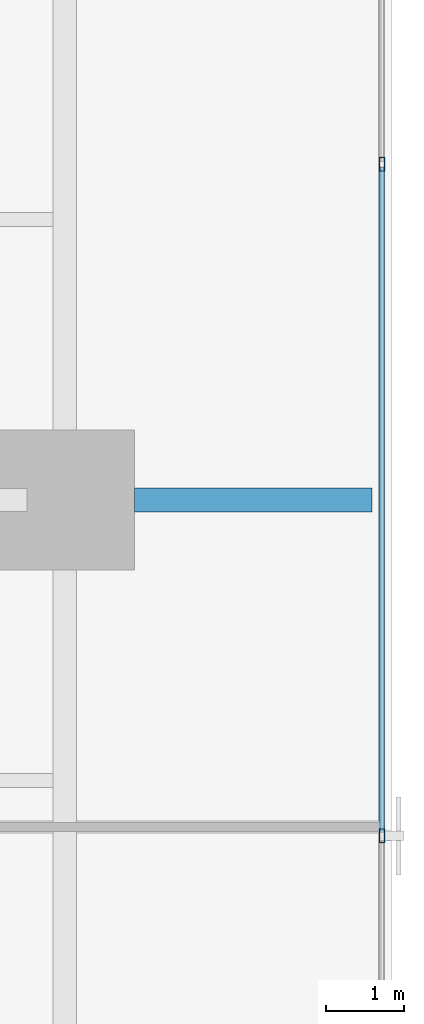
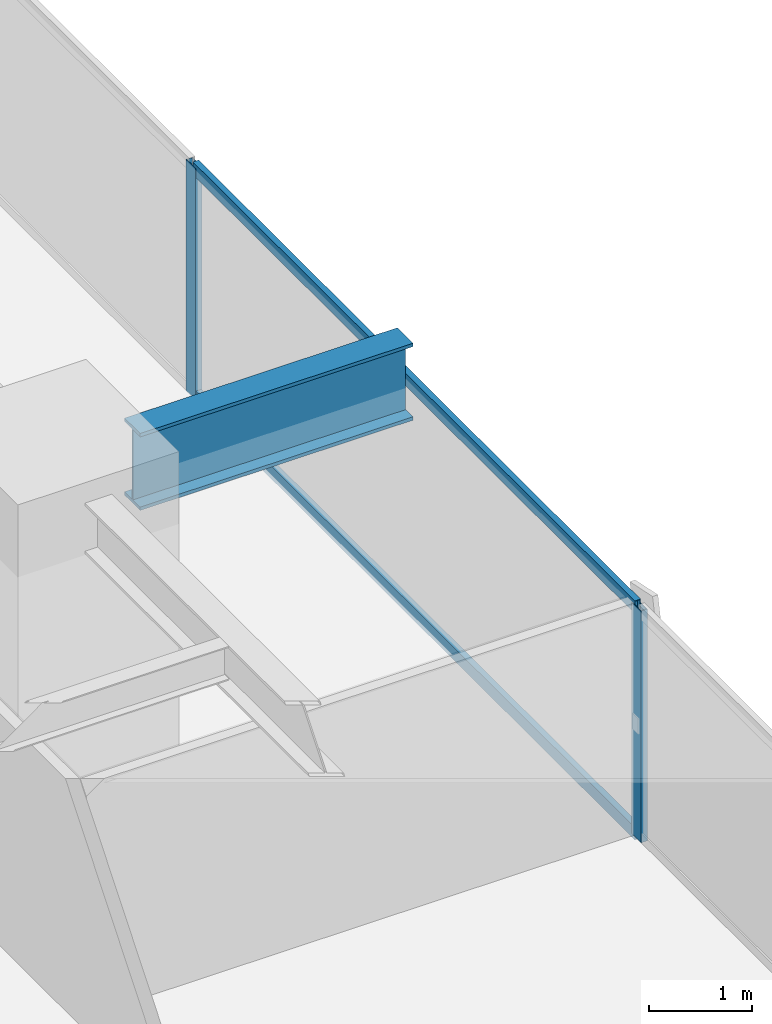
# One storey, part 15 of 33: 4 members, 1 beam, 1 element without a shape of its own.
"""IFC4 building model written with IfcOpenShell, lengths in metres."""

from ifc_helpers import new_model, si_unit, direction, frame, origin, origin_2d, place, context, subcontext, project, spatial, hollow_rectangle, i_section, extrude, source, transform, mapped, material, layer, layer_set, material_profile, profile_set, type_object, element, aggregate, save


model = new_model("IFC4")

# Units and contexts
model_context = context("Model", 3, precision=1e-05, world=origin(), true_north=direction((0.0, 1.0)))
body_context = subcontext(model_context, "Body", "Model", "MODEL_VIEW")
ifc_project = project(units=[si_unit("LENGTHUNIT", "METRE"), si_unit("AREAUNIT", "SQUARE_METRE"), si_unit("VOLUMEUNIT", "CUBIC_METRE"), si_unit("PLANEANGLEUNIT", "RADIAN"), si_unit("MASSUNIT", "GRAM", prefix="KILO")], contexts=[model_context])

# Site, building, storey
site_placement = place(None, origin())
site = spatial("IfcSite", under=ifc_project, at=site_placement, CompositionType="ELEMENT")
building_placement = place(site_placement, origin())
building = spatial("IfcBuilding", under=site, at=building_placement, Name="Sumidabori Civic Tower", CompositionType="ELEMENT")
storey_placement = place(building_placement, frame((0.0, 0.0, 27.199951171875)))
storey = spatial("IfcBuildingStorey", under=building, at=storey_placement, Name="L06", CompositionType="ELEMENT", Elevation=27.199951171875)

# Beam
ifc_material_1 = material(Name="Steel SN490", Category="steel")
ifc_material_profile_1 = material_profile(ifc_material_1, i_section(OverallWidth=0.302001953125, OverallDepth=0.909912109375, WebThickness=0.02099609375, FlangeThickness=0.0400390625, at=origin_2d()), Name="HE 900 M")
ifc_profile_set_1 = profile_set([ifc_material_profile_1], Name="Steel SN490")
beam_type = type_object("IfcBeamType", Name="BM-Z1-EDGE", PredefinedType="SPANDREL", material=ifc_profile_set_1)
shared_shape_1 = source(origin(), body_context, "Body", "SweptSolid", [
    extrude(i_section(OverallWidth=0.302001953125, OverallDepth=0.909912109375, WebThickness=0.02099609375, FlangeThickness=0.0400390625, at=origin_2d()), origin(), (0.0, 0.0, 1.0), 3.050048828125),
])
beam_placement = place(storey_placement, frame((23.699951171875, 0.0, 2.905029296875), z_axis=(1.0, 0.0, 0.0), x_axis=(0.0, 1.0, 0.0)))
element("IfcBeam", 1, at=beam_placement, inside=storey, type_object=beam_type, Name="Perimeter Overhang Beam L06 E-45", PredefinedType="SPANDREL", context=body_context, shape_type="MappedRepresentation", body=[
    mapped(shared_shape_1, transform((0.0, 0.0, 0.0), x_axis=(1.0, 0.0, 0.0), y_axis=(0.0, 1.0, 0.0), z_axis=(0.0, 0.0, 1.0), scale=1.0)),
])

# Curtain wall, members
ifc_material_2 = material(Name="Anodised Bronze Aluminium AW-6063-T6", Category="aluminium")
ifc_layer = layer(ifc_material_2, 0.179931640625, Name="Anodised Bronze Aluminium AW-6063-T6")
ifc_layer_set = layer_set([ifc_layer], Name="Anodised Bronze Aluminium AW-6063-T6")
curtain_wall_type = type_object("IfcCurtainWallType", Name="CW-SYS-2", PredefinedType="NOTDEFINED", material=ifc_layer_set)
curtain_wall_placement = place(storey_placement, origin())
curtain_wall = element("IfcCurtainWall", 2, at=curtain_wall_placement, inside=storey, type_object=curtain_wall_type, Name="Curtain Wall CW:L06:R04", PredefinedType="NOTDEFINED")
ifc_material_profile_2 = material_profile(ifc_material_2, hollow_rectangle(XDim=0.070068359375, YDim=0.179931640625, WallThickness=0.006103515625, at=origin_2d()), Name="ALU MULLION 180x70")
ifc_profile_set_2 = profile_set([ifc_material_profile_2], Name="Anodised Bronze Aluminium AW-6063-T6")
member_type_1 = type_object("IfcMemberType", Name="CW-MUL-180", PredefinedType="MULLION", material=ifc_profile_set_2)
shared_shape_2 = source(origin(), body_context, "Body", "SweptSolid", [
    extrude(hollow_rectangle(XDim=0.070068359375, YDim=0.179931640625, WallThickness=0.006103515625, at=origin_2d()), origin(), (0.0, 0.0, 1.0), 2.739990234375),
])
member_1_placement = place(storey_placement, frame((26.8798828125, -4.31396484375, 0.0), z_axis=(0.0, 0.0, 1.0), x_axis=(-1.0, 0.0, 0.0)))
member_1 = element("IfcMember", 3, at=member_1_placement, type_object=member_type_1, Name="CW-2 mullion 3", PredefinedType="MULLION", context=body_context, shape_type="MappedRepresentation", body=[
    mapped(shared_shape_2, transform((0.0, 0.0, 0.0), x_axis=(1.0, 0.0, 0.0), y_axis=(0.0, 1.0, 0.0), z_axis=(0.0, 0.0, 1.0), scale=1.0)),
])
member_2_placement = place(storey_placement, frame((26.8798828125, 4.31396484375, 0.0), z_axis=(0.0, 0.0, 1.0), x_axis=(-1.0, 0.0, 0.0)))
member_2 = element("IfcMember", 4, at=member_2_placement, type_object=member_type_1, Name="CW-2 mullion 4", PredefinedType="MULLION", context=body_context, shape_type="MappedRepresentation", body=[
    mapped(shared_shape_2, transform((0.0, 0.0, 0.0), x_axis=(1.0, 0.0, 0.0), y_axis=(0.0, 1.0, 0.0), z_axis=(0.0, 0.0, 1.0), scale=1.0)),
])
ifc_material_profile_3 = material_profile(ifc_material_2, hollow_rectangle(XDim=0.06494140625, YDim=0.14990234375, WallThickness=0.0048828125, at=origin_2d()), Name="ALU TRANSOM 150x65")
ifc_profile_set_3 = profile_set([ifc_material_profile_3], Name="Anodised Bronze Aluminium AW-6063-T6")
member_type_2 = type_object("IfcMemberType", Name="CW-TRN-150", PredefinedType="USERDEFINED", material=ifc_profile_set_3)
shared_shape_3 = source(origin(), body_context, "Body", "SweptSolid", [
    extrude(hollow_rectangle(XDim=0.06494140625, YDim=0.14990234375, WallThickness=0.0048828125, at=origin_2d()), origin(), (0.0, 0.0, 1.0), 8.55810546875),
])
member_3_placement = place(storey_placement, frame((26.8798828125, -4.279052734375, 0.032470703125), z_axis=(0.0, 1.0, 0.0), x_axis=(-1.0, 0.0, 0.0)))
member_3 = element("IfcMember", 5, at=member_3_placement, type_object=member_type_2, Name="CW-2 transom 3.1", ObjectType="TRANSOM", PredefinedType="USERDEFINED", context=body_context, shape_type="MappedRepresentation", body=[
    mapped(shared_shape_3, transform((0.0, 0.0, 0.0), x_axis=(1.0, 0.0, 0.0), y_axis=(0.0, 1.0, 0.0), z_axis=(0.0, 0.0, 1.0), scale=1.0)),
])
member_4_placement = place(storey_placement, frame((26.8798828125, -4.279052734375, 2.70751953125), z_axis=(0.0, 1.0, 0.0), x_axis=(-1.0, 0.0, 0.0)))
member_4 = element("IfcMember", 6, at=member_4_placement, type_object=member_type_2, Name="CW-2 transom 3.2", ObjectType="TRANSOM", PredefinedType="USERDEFINED", context=body_context, shape_type="MappedRepresentation", body=[
    mapped(shared_shape_3, transform((0.0, 0.0, 0.0), x_axis=(1.0, 0.0, 0.0), y_axis=(0.0, 1.0, 0.0), z_axis=(0.0, 0.0, 1.0), scale=1.0)),
])
aggregate(curtain_wall, [member_1, member_2, member_3, member_4])

save(model, "model.ifc")
